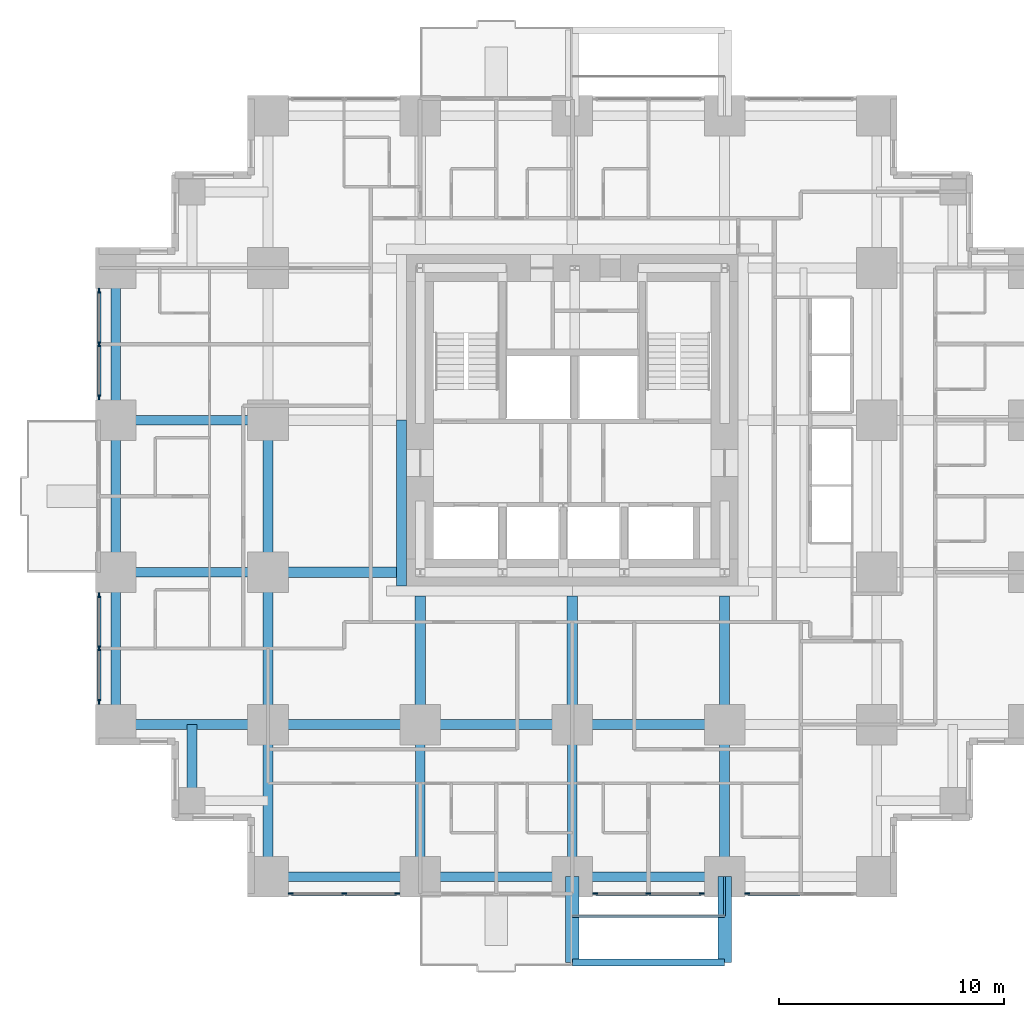
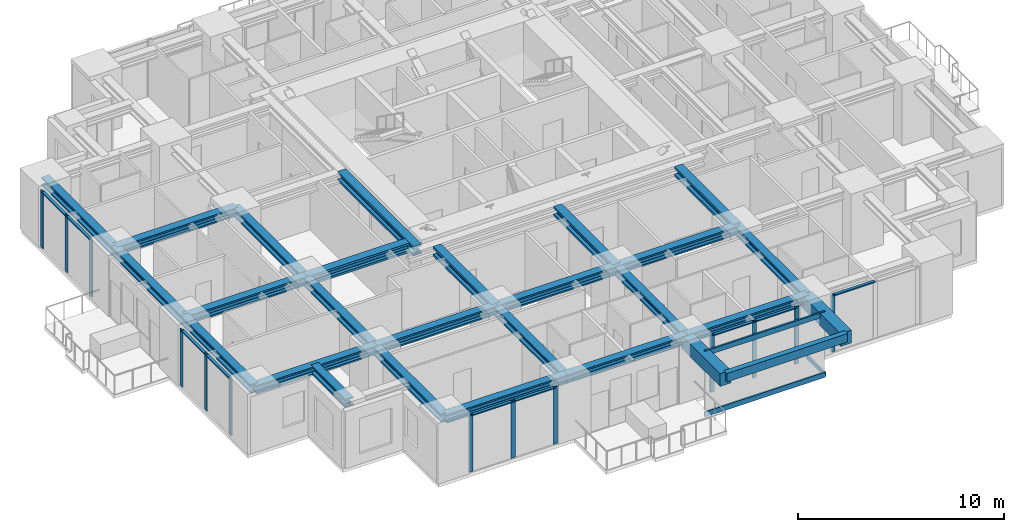
# One storey, part 2 of 13: 27 beams, 25 members, 5 elements without a shape of their own.
"""IFC4 building model written with IfcOpenShell, lengths in metres."""

from ifc_helpers import new_model, si_unit, direction, frame, origin, origin_2d, place, context, subcontext, project, spatial, rectangle, hollow_rectangle, i_section, extrude, material, material_profile, profile_set, type_object, element, aggregate, save


model = new_model("IFC4")

# Units and contexts
model_context = context("Model", 3, precision=1e-05, world=origin(), true_north=direction((0.0, 1.0)))
body_context = subcontext(model_context, "Body", "Model", "MODEL_VIEW")
ifc_project = project(units=[si_unit("LENGTHUNIT", "METRE"), si_unit("AREAUNIT", "SQUARE_METRE"), si_unit("VOLUMEUNIT", "CUBIC_METRE"), si_unit("PLANEANGLEUNIT", "RADIAN"), si_unit("MASSUNIT", "GRAM", prefix="KILO")], contexts=[model_context])

# Site, building, storey
site_placement = place(None, origin())
site = spatial("IfcSite", under=ifc_project, at=site_placement, CompositionType="ELEMENT")
building_placement = place(site_placement, origin())
building = spatial("IfcBuilding", under=site, at=building_placement, Name="Nyansa Garden Tower", CompositionType="ELEMENT")
storey_placement = place(building_placement, frame((0.0, 0.0, 101.699951171875)))
storey = spatial("IfcBuildingStorey", under=building, at=storey_placement, Name="L27", CompositionType="ELEMENT", Elevation=101.699951171875)

# Beams
ifc_material_1 = material(Name="Concrete C70/85", Category="concrete")
ifc_material_profile_1 = material_profile(ifc_material_1, rectangle(XDim=0.60009765625, YDim=0.75, at=origin_2d()), Name="RC 600x750")
ifc_profile_set_1 = profile_set([ifc_material_profile_1], Name="Concrete C70/85")
beam_type_1 = type_object("IfcBeamType", Name="Balcony cantilever beam CB1 RC 600x750", PredefinedType="BEAM", material=ifc_profile_set_1)
for number, where, z_axis, x_axis, name in (
    (1, (20.25, 0.0, 2.985107421875), (0.0, -1.0, 0.0), (1.0, 0.0, 0.0), "Balcony cantilever beam L28"),
    (2, (27.0, 0.0, 2.985107421875), (0.0, -1.0, 0.0), (1.0, 0.0, 0.0), "Balcony cantilever beam L28"),
):
    element("IfcBeam", number, at=place(storey_placement, frame(where, z_axis=z_axis, x_axis=x_axis)), inside=storey, type_object=beam_type_1, Name=name, PredefinedType="BEAM", context=body_context, shape_type="SweptSolid", body=[
        extrude(rectangle(XDim=0.60009765625, YDim=0.75, at=origin_2d()), origin(), (0.0, 0.0, 1.0), 3.800048828125),
    ])
ifc_material_2 = material(Name="Concrete C70/85", Category="concrete")
ifc_material_profile_2 = material_profile(ifc_material_2, rectangle(XDim=0.300048828125, YDim=0.5, at=origin_2d()), Name="RC 300x500")
ifc_profile_set_2 = profile_set([ifc_material_profile_2], Name="Concrete C70/85")
beam_type_2 = type_object("IfcBeamType", Name="Balcony edge beam BE1 RC 300x500", PredefinedType="BEAM", material=ifc_profile_set_2)
beam_1_placement = place(storey_placement, frame((20.25, -3.800048828125, 3.110107421875), z_axis=(1.0, 0.0, 0.0), x_axis=(0.0, 1.0, 0.0)))
element("IfcBeam", 3, at=beam_1_placement, inside=storey, type_object=beam_type_2, Name="Balcony edge beam L28", PredefinedType="BEAM", context=body_context, shape_type="SweptSolid", body=[
    extrude(rectangle(XDim=0.300048828125, YDim=0.5, at=origin_2d()), origin(), (0.0, 0.0, 1.0), 6.75),
])

# Curtain wall, members
ifc_material_3 = material(Name="Black anodised aluminium, dark tinted double glazing", Category="aluminium")
curtain_wall_type = type_object("IfcCurtainWallType", Name="Inner skin curtain wall ISW-B", PredefinedType="USERDEFINED", material=ifc_material_3)
curtain_wall_1_placement = place(storey_placement, origin())
curtain_wall_1 = element("IfcCurtainWall", 4, at=curtain_wall_1_placement, inside=storey, type_object=curtain_wall_type, Name="Inner skin curtain wall L27 W", ObjectType="UNITISED CURTAIN WALL", PredefinedType="USERDEFINED")
ifc_material_4 = material(Name="Black anodised aluminium", Category="aluminium")
ifc_material_profile_3 = material_profile(ifc_material_4, rectangle(XDim=0.06494140625, YDim=0.22509765625, at=origin_2d()), Name="Mullion 225x65")
ifc_profile_set_3 = profile_set([ifc_material_profile_3], Name="Black anodised aluminium")
member_type_1 = type_object("IfcMemberType", Name="Mullion ISW-B 225x65", PredefinedType="MULLION", material=ifc_profile_set_3)
member_1_placement = place(storey_placement, frame((-0.75, 12.487548828125, 0.0), z_axis=(0.0, 0.0, 1.0), x_axis=(1.0, 0.0, 0.0)))
member_1 = element("IfcMember", 5, at=member_1_placement, type_object=member_type_1, Name="ISW-B mullion 1", PredefinedType="MULLION", context=body_context, shape_type="SweptSolid", body=[
    extrude(rectangle(XDim=0.06494140625, YDim=0.22509765625, at=origin_2d()), origin(), (0.0, 0.0, 1.0), 3.375),
])
member_2_placement = place(storey_placement, frame((-0.75, 10.125, 0.0), z_axis=(0.0, 0.0, 1.0), x_axis=(1.0, 0.0, 0.0)))
member_2 = element("IfcMember", 6, at=member_2_placement, type_object=member_type_1, Name="ISW-B mullion 2", PredefinedType="MULLION", context=body_context, shape_type="SweptSolid", body=[
    extrude(rectangle(XDim=0.06494140625, YDim=0.22509765625, at=origin_2d()), origin(), (0.0, 0.0, 1.0), 3.375),
])
member_3_placement = place(storey_placement, frame((-0.75, 7.762451171875, 0.0), z_axis=(0.0, 0.0, 1.0), x_axis=(1.0, 0.0, 0.0)))
member_3 = element("IfcMember", 7, at=member_3_placement, type_object=member_type_1, Name="ISW-B mullion 3", PredefinedType="MULLION", context=body_context, shape_type="SweptSolid", body=[
    extrude(rectangle(XDim=0.06494140625, YDim=0.22509765625, at=origin_2d()), origin(), (0.0, 0.0, 1.0), 3.375),
])

curtain_wall_2_placement = place(storey_placement, origin())
curtain_wall_2 = element("IfcCurtainWall", 8, at=curtain_wall_2_placement, inside=storey, type_object=curtain_wall_type, Name="Inner skin curtain wall L27 W", ObjectType="UNITISED CURTAIN WALL", PredefinedType="USERDEFINED")
member_4_placement = place(storey_placement, frame((-0.75, 25.987548828125, 0.0), z_axis=(0.0, 0.0, 1.0), x_axis=(1.0, 0.0, 0.0)))
member_4 = element("IfcMember", 9, at=member_4_placement, type_object=member_type_1, Name="ISW-B mullion 1", PredefinedType="MULLION", context=body_context, shape_type="SweptSolid", body=[
    extrude(rectangle(XDim=0.06494140625, YDim=0.22509765625, at=origin_2d()), origin(), (0.0, 0.0, 1.0), 3.375),
])
member_5_placement = place(storey_placement, frame((-0.75, 23.625, 0.0), z_axis=(0.0, 0.0, 1.0), x_axis=(1.0, 0.0, 0.0)))
member_5 = element("IfcMember", 10, at=member_5_placement, type_object=member_type_1, Name="ISW-B mullion 2", PredefinedType="MULLION", context=body_context, shape_type="SweptSolid", body=[
    extrude(rectangle(XDim=0.06494140625, YDim=0.22509765625, at=origin_2d()), origin(), (0.0, 0.0, 1.0), 3.375),
])
member_6_placement = place(storey_placement, frame((-0.75, 21.262451171875, 0.0), z_axis=(0.0, 0.0, 1.0), x_axis=(1.0, 0.0, 0.0)))
member_6 = element("IfcMember", 11, at=member_6_placement, type_object=member_type_1, Name="ISW-B mullion 3", PredefinedType="MULLION", context=body_context, shape_type="SweptSolid", body=[
    extrude(rectangle(XDim=0.06494140625, YDim=0.22509765625, at=origin_2d()), origin(), (0.0, 0.0, 1.0), 3.375),
])

curtain_wall_3_placement = place(storey_placement, origin())
curtain_wall_3 = element("IfcCurtainWall", 12, at=curtain_wall_3_placement, inside=storey, type_object=curtain_wall_type, Name="Inner skin curtain wall L27 S", ObjectType="UNITISED CURTAIN WALL", PredefinedType="USERDEFINED")
member_7_placement = place(storey_placement, frame((7.762451171875, -0.75, 0.0), z_axis=(0.0, 0.0, 1.0), x_axis=(0.0, 1.0, 0.0)))
member_7 = element("IfcMember", 13, at=member_7_placement, type_object=member_type_1, Name="ISW-B mullion 1", PredefinedType="MULLION", context=body_context, shape_type="SweptSolid", body=[
    extrude(rectangle(XDim=0.06494140625, YDim=0.22509765625, at=origin_2d()), origin(), (0.0, 0.0, 1.0), 3.375),
])
member_8_placement = place(storey_placement, frame((10.125, -0.75, 0.0), z_axis=(0.0, 0.0, 1.0), x_axis=(0.0, 1.0, 0.0)))
member_8 = element("IfcMember", 14, at=member_8_placement, type_object=member_type_1, Name="ISW-B mullion 2", PredefinedType="MULLION", context=body_context, shape_type="SweptSolid", body=[
    extrude(rectangle(XDim=0.06494140625, YDim=0.22509765625, at=origin_2d()), origin(), (0.0, 0.0, 1.0), 3.375),
])
member_9_placement = place(storey_placement, frame((12.487548828125, -0.75, 0.0), z_axis=(0.0, 0.0, 1.0), x_axis=(0.0, 1.0, 0.0)))
member_9 = element("IfcMember", 15, at=member_9_placement, type_object=member_type_1, Name="ISW-B mullion 3", PredefinedType="MULLION", context=body_context, shape_type="SweptSolid", body=[
    extrude(rectangle(XDim=0.06494140625, YDim=0.22509765625, at=origin_2d()), origin(), (0.0, 0.0, 1.0), 3.375),
])

curtain_wall_4_placement = place(storey_placement, origin())
curtain_wall_4 = element("IfcCurtainWall", 16, at=curtain_wall_4_placement, inside=storey, type_object=curtain_wall_type, Name="Inner skin curtain wall L27 S", ObjectType="UNITISED CURTAIN WALL", PredefinedType="USERDEFINED")
member_10_placement = place(storey_placement, frame((21.262451171875, -0.75, 0.0), z_axis=(0.0, 0.0, 1.0), x_axis=(0.0, 1.0, 0.0)))
member_10 = element("IfcMember", 17, at=member_10_placement, type_object=member_type_1, Name="ISW-B mullion 1", PredefinedType="MULLION", context=body_context, shape_type="SweptSolid", body=[
    extrude(rectangle(XDim=0.06494140625, YDim=0.22509765625, at=origin_2d()), origin(), (0.0, 0.0, 1.0), 3.375),
])
member_11_placement = place(storey_placement, frame((23.625, -0.75, 0.0), z_axis=(0.0, 0.0, 1.0), x_axis=(0.0, 1.0, 0.0)))
member_11 = element("IfcMember", 18, at=member_11_placement, type_object=member_type_1, Name="ISW-B mullion 2", PredefinedType="MULLION", context=body_context, shape_type="SweptSolid", body=[
    extrude(rectangle(XDim=0.06494140625, YDim=0.22509765625, at=origin_2d()), origin(), (0.0, 0.0, 1.0), 3.375),
])
member_12_placement = place(storey_placement, frame((25.987548828125, -0.75, 0.0), z_axis=(0.0, 0.0, 1.0), x_axis=(0.0, 1.0, 0.0)))
member_12 = element("IfcMember", 19, at=member_12_placement, type_object=member_type_1, Name="ISW-B mullion 3", PredefinedType="MULLION", context=body_context, shape_type="SweptSolid", body=[
    extrude(rectangle(XDim=0.06494140625, YDim=0.22509765625, at=origin_2d()), origin(), (0.0, 0.0, 1.0), 3.375),
])

# Curtain wall, member
curtain_wall_5_placement = place(storey_placement, origin())
curtain_wall_5 = element("IfcCurtainWall", 20, at=curtain_wall_5_placement, inside=storey, type_object=curtain_wall_type, Name="Inner skin curtain wall L27 S", ObjectType="UNITISED CURTAIN WALL", PredefinedType="USERDEFINED")
member_13_placement = place(storey_placement, frame((28.012451171875, -0.75, 0.0), z_axis=(0.0, 0.0, 1.0), x_axis=(0.0, 1.0, 0.0)))
member_13 = element("IfcMember", 21, at=member_13_placement, type_object=member_type_1, Name="ISW-B mullion 1", PredefinedType="MULLION", context=body_context, shape_type="SweptSolid", body=[
    extrude(rectangle(XDim=0.06494140625, YDim=0.22509765625, at=origin_2d()), origin(), (0.0, 0.0, 1.0), 3.375),
])

# Members
ifc_material_5 = material(Name="Steel S355, black powder coated", Category="steel")
ifc_material_profile_4 = material_profile(ifc_material_5, hollow_rectangle(XDim=0.10009765625, YDim=0.199951171875, WallThickness=0.008056640625, at=origin_2d()), Name="RHS 200x100x8")
ifc_profile_set_4 = profile_set([ifc_material_profile_4], Name="Steel S355, black powder coated")
member_type_2 = type_object("IfcMemberType", Name="Outer skin bracket arm RHS 200x100x8", PredefinedType="USERDEFINED", material=ifc_profile_set_4)
member_14_placement = place(storey_placement, frame((27.0, 0.0, -0.375), z_axis=(0.0, -1.0, 0.0), x_axis=(1.0, 0.0, 0.0)))
element("IfcMember", 22, at=member_14_placement, inside=storey, type_object=member_type_2, Name="Outer skin bracket arm", ObjectType="OUTER SKIN BRACKET", PredefinedType="USERDEFINED", context=body_context, shape_type="SweptSolid", body=[
    extrude(hollow_rectangle(XDim=0.10009765625, YDim=0.199951171875, WallThickness=0.008056640625, at=origin_2d()), origin(), (0.0, 0.0, 1.0), 1.75),
])
ifc_material_6 = material(Name="Steel S355, black powder coated", Category="steel")
ifc_material_profile_5 = material_profile(ifc_material_6, hollow_rectangle(XDim=0.10009765625, YDim=0.300048828125, WallThickness=0.010009765625, at=origin_2d()), Name="RHS 300x100x10")
ifc_profile_set_5 = profile_set([ifc_material_profile_5], Name="Steel S355, black powder coated")
member_type_3 = type_object("IfcMemberType", Name="Outer skin rail RHS 300x100x10", PredefinedType="USERDEFINED", material=ifc_profile_set_5)
for number, where, z_axis, x_axis, name in (
    (23, (20.25, -1.75, -0.375), (1.0, 0.0, 0.0), (0.0, 1.0, 0.0), "Outer skin rail L27"),
    (24, (20.25, -1.75, 3.22509765625), (1.0, 0.0, 0.0), (0.0, 1.0, 0.0), "Outer skin rail L27 head"),
):
    element("IfcMember", number, at=place(storey_placement, frame(where, z_axis=z_axis, x_axis=x_axis)), inside=storey, type_object=member_type_3, Name=name, ObjectType="OUTER SKIN RAIL", PredefinedType="USERDEFINED", context=body_context, shape_type="SweptSolid", body=[
        extrude(hollow_rectangle(XDim=0.10009765625, YDim=0.300048828125, WallThickness=0.010009765625, at=origin_2d()), origin(), (0.0, 0.0, 1.0), 6.75),
    ])

# Beams
ifc_material_7 = material(Name="Steel S355", Category="steel")
ifc_material_profile_6 = material_profile(ifc_material_7, i_section(OverallWidth=0.431884765625, OverallDepth=0.498046875, WebThickness=0.0556640625, FlangeThickness=0.0888671875, FilletRadius=0.014892578125, at=origin_2d()), Name="HD 400x744")
ifc_profile_set_6 = profile_set([ifc_material_profile_6], Name="Steel S355")
beam_type_3 = type_object("IfcBeamType", Name="Steel beam SBB1-744 HD 400x744", PredefinedType="BEAM", material=ifc_profile_set_6)
for number, where, z_axis, x_axis, name in (
    (25, (0.0, 6.75, 3.1259765625), (1.0, 0.0, 0.0), (0.0, 1.0, 0.0), "Steel beam 2/E-3/E L28"),
    (26, (0.0, 13.5, 3.1259765625), (1.0, 0.0, 0.0), (0.0, 1.0, 0.0), "Steel beam 2/F-3/F L28"),
    (27, (0.0, 20.25, 3.1259765625), (1.0, 0.0, 0.0), (0.0, 1.0, 0.0), "Steel beam 2/G-3/G L28"),
    (28, (6.75, 0.0, 3.1259765625), (0.0, 1.0, 0.0), (-1.0, 0.0, 0.0), "Steel beam 3/D-3/E L28"),
    (29, (6.75, 6.75, 3.1259765625), (0.0, 1.0, 0.0), (-1.0, 0.0, 0.0), "Steel beam 3/E-3/F L28"),
    (30, (6.75, 6.75, 3.1259765625), (1.0, 0.0, 0.0), (0.0, 1.0, 0.0), "Steel beam 3/E-4/E L28"),
    (31, (6.75, 13.5, 3.1259765625), (0.0, 1.0, 0.0), (-1.0, 0.0, 0.0), "Steel beam 3/F-3/G L28"),
    (32, (13.5, 0.0, 3.1259765625), (0.0, 1.0, 0.0), (-1.0, 0.0, 0.0), "Steel beam 4/D-4/E L28"),
    (33, (13.5, 6.75, 3.1259765625), (1.0, 0.0, 0.0), (0.0, 1.0, 0.0), "Steel beam 4/E-5/E L28"),
    (34, (20.25, 0.0, 3.1259765625), (0.0, 1.0, 0.0), (-1.0, 0.0, 0.0), "Steel beam 5/D-5/E L28"),
    (35, (20.25, 6.75, 3.1259765625), (1.0, 0.0, 0.0), (0.0, 1.0, 0.0), "Steel beam 5/E-6/E L28"),
    (36, (27.0, 0.0, 3.1259765625), (0.0, 1.0, 0.0), (-1.0, 0.0, 0.0), "Steel beam 6/D-6/E L28"),
):
    element("IfcBeam", number, at=place(storey_placement, frame(where, z_axis=z_axis, x_axis=x_axis)), inside=storey, type_object=beam_type_3, Name=name, PredefinedType="BEAM", context=body_context, shape_type="SweptSolid", body=[
        extrude(i_section(OverallWidth=0.431884765625, OverallDepth=0.498046875, WebThickness=0.0556640625, FlangeThickness=0.0888671875, FilletRadius=0.014892578125, at=origin_2d()), origin(), (0.0, 0.0, 1.0), 6.75),
    ])
ifc_material_8 = material(Name="Steel S355", Category="steel")
ifc_material_profile_7 = material_profile(ifc_material_8, i_section(OverallWidth=0.4541015625, OverallDepth=0.569091796875, WebThickness=0.077880859375, FlangeThickness=0.125, FilletRadius=0.014892578125, at=origin_2d()), Name="HD 400x1086")
ifc_profile_set_7 = profile_set([ifc_material_profile_7], Name="Steel S355")
beam_type_4 = type_object("IfcBeamType", Name="Steel beam SCL-1086 HD 400x1086", PredefinedType="BEAM", material=ifc_profile_set_7)
for number, where, z_axis, x_axis, name in (
    (37, (6.75, 13.5, 3.090576171875), (1.0, 0.0, 0.0), (0.0, 1.0, 0.0), "Steel beam 3/F-12.450/F L28"),
    (38, (13.5, 6.75, 3.090576171875), (0.0, 1.0, 0.0), (-1.0, 0.0, 0.0), "Steel beam 4/E-4/12.450 L28"),
    (39, (20.25, 6.75, 3.090576171875), (0.0, 1.0, 0.0), (-1.0, 0.0, 0.0), "Steel beam 5/E-5/12.450 L28"),
    (40, (27.0, 6.75, 3.090576171875), (0.0, 1.0, 0.0), (-1.0, 0.0, 0.0), "Steel beam 6/E-6/12.450 L28"),
):
    element("IfcBeam", number, at=place(storey_placement, frame(where, z_axis=z_axis, x_axis=x_axis)), inside=storey, type_object=beam_type_4, Name=name, PredefinedType="BEAM", context=body_context, shape_type="SweptSolid", body=[
        extrude(i_section(OverallWidth=0.4541015625, OverallDepth=0.569091796875, WebThickness=0.077880859375, FlangeThickness=0.125, FilletRadius=0.014892578125, at=origin_2d()), origin(), (0.0, 0.0, 1.0), 5.699951171875),
    ])
beam_2_placement = place(storey_placement, frame((12.673095703125, 20.25, 3.090576171875), z_axis=(0.0, -1.0, 0.0), x_axis=(1.0, 0.0, 0.0)))
element("IfcBeam", 41, at=beam_2_placement, inside=storey, type_object=beam_type_4, Name="Steel core ledger beam W.2 L28", PredefinedType="BEAM", context=body_context, shape_type="SweptSolid", body=[
    extrude(i_section(OverallWidth=0.4541015625, OverallDepth=0.569091796875, WebThickness=0.077880859375, FlangeThickness=0.125, FilletRadius=0.014892578125, at=origin_2d()), origin(), (0.0, 0.0, 1.0), 7.35009765625),
])
ifc_material_9 = material(Name="Steel S355", Category="steel")
ifc_material_profile_8 = material_profile(ifc_material_9, i_section(OverallWidth=0.431884765625, OverallDepth=0.498046875, WebThickness=0.0556640625, FlangeThickness=0.0888671875, FilletRadius=0.014892578125, at=origin_2d()), Name="HD 400x744")
ifc_profile_set_8 = profile_set([ifc_material_profile_8], Name="Steel S355")
beam_type_5 = type_object("IfcBeamType", Name="Steel beam SEBB-744 HD 400x744", PredefinedType="BEAM", material=ifc_profile_set_8)
for number, where, z_axis, x_axis, name in (
    (42, (0.0, 6.75, 3.1259765625), (0.0, 1.0, 0.0), (-1.0, 0.0, 0.0), "Steel edge beam 2/E-2/F L28"),
    (43, (0.0, 13.5, 3.1259765625), (0.0, 1.0, 0.0), (-1.0, 0.0, 0.0), "Steel edge beam 2/F-2/G L28"),
    (44, (0.0, 20.25, 3.1259765625), (0.0, 1.0, 0.0), (-1.0, 0.0, 0.0), "Steel edge beam 2/G-2/H L28"),
    (45, (6.75, 0.0, 3.1259765625), (1.0, 0.0, 0.0), (0.0, 1.0, 0.0), "Steel edge beam 3/D-4/D L28"),
    (46, (13.5, 0.0, 3.1259765625), (1.0, 0.0, 0.0), (0.0, 1.0, 0.0), "Steel edge beam 4/D-5/D L28"),
    (47, (20.25, 0.0, 3.1259765625), (1.0, 0.0, 0.0), (0.0, 1.0, 0.0), "Steel edge beam 5/D-6/D L28"),
):
    element("IfcBeam", number, at=place(storey_placement, frame(where, z_axis=z_axis, x_axis=x_axis)), inside=storey, type_object=beam_type_5, Name=name, PredefinedType="BEAM", context=body_context, shape_type="SweptSolid", body=[
        extrude(i_section(OverallWidth=0.431884765625, OverallDepth=0.498046875, WebThickness=0.0556640625, FlangeThickness=0.0888671875, FilletRadius=0.014892578125, at=origin_2d()), origin(), (0.0, 0.0, 1.0), 6.75),
    ])
ifc_material_10 = material(Name="Steel S355", Category="steel")
ifc_material_profile_9 = material_profile(ifc_material_10, i_section(OverallWidth=0.431884765625, OverallDepth=0.498046875, WebThickness=0.0556640625, FlangeThickness=0.0888671875, FilletRadius=0.014892578125, at=origin_2d()), Name="HD 400x744")
ifc_profile_set_9 = profile_set([ifc_material_profile_9], Name="Steel S355")
beam_type_6 = type_object("IfcBeamType", Name="Steel beam SSB1-744 HD 400x744", PredefinedType="BEAM", material=ifc_profile_set_9)
beam_3_placement = place(storey_placement, frame((3.375, 3.375, 3.1259765625), z_axis=(0.0, 1.0, 0.0), x_axis=(-1.0, 0.0, 0.0)))
element("IfcBeam", 48, at=beam_3_placement, inside=storey, type_object=beam_type_6, Name="Steel step beam 3.375/3.375 L28", PredefinedType="BEAM", context=body_context, shape_type="SweptSolid", body=[
    extrude(i_section(OverallWidth=0.431884765625, OverallDepth=0.498046875, WebThickness=0.0556640625, FlangeThickness=0.0888671875, FilletRadius=0.014892578125, at=origin_2d()), origin(), (0.0, 0.0, 1.0), 3.375),
])

# Member
ifc_material_11 = material(Name="Black anodised aluminium", Category="aluminium")
ifc_material_profile_10 = material_profile(ifc_material_11, rectangle(XDim=0.1650390625, YDim=0.06494140625, at=origin_2d()), Name="Transom 165x65")
ifc_profile_set_10 = profile_set([ifc_material_profile_10], Name="Black anodised aluminium")
member_type_4 = type_object("IfcMemberType", Name="Transom ISW-B 165x65", PredefinedType="USERDEFINED", material=ifc_profile_set_10)
member_15_placement = place(storey_placement, frame((-0.75, 12.455078125, 3.342529296875), z_axis=(0.0, -1.0, 0.0), x_axis=(1.0, 0.0, 0.0)))
member_15 = element("IfcMember", 49, at=member_15_placement, type_object=member_type_4, Name="ISW-B transom 1", ObjectType="TRANSOM", PredefinedType="USERDEFINED", context=body_context, shape_type="SweptSolid", body=[
    extrude(rectangle(XDim=0.1650390625, YDim=0.06494140625, at=origin_2d()), origin(), (0.0, 0.0, 1.0), 2.297607421875),
])

member_16_placement = place(storey_placement, frame((-0.75, 10.092529296875, 3.342529296875), z_axis=(0.0, -1.0, 0.0), x_axis=(1.0, 0.0, 0.0)))
member_16 = element("IfcMember", 50, at=member_16_placement, type_object=member_type_4, Name="ISW-B transom 2", ObjectType="TRANSOM", PredefinedType="USERDEFINED", context=body_context, shape_type="SweptSolid", body=[
    extrude(rectangle(XDim=0.1650390625, YDim=0.06494140625, at=origin_2d()), origin(), (0.0, 0.0, 1.0), 2.297607421875),
])

aggregate(curtain_wall_1, [member_1, member_2, member_3, member_15, member_16])

member_17_placement = place(storey_placement, frame((-0.75, 25.955078125, 3.342529296875), z_axis=(0.0, -1.0, 0.0), x_axis=(1.0, 0.0, 0.0)))
member_17 = element("IfcMember", 51, at=member_17_placement, type_object=member_type_4, Name="ISW-B transom 1", ObjectType="TRANSOM", PredefinedType="USERDEFINED", context=body_context, shape_type="SweptSolid", body=[
    extrude(rectangle(XDim=0.1650390625, YDim=0.06494140625, at=origin_2d()), origin(), (0.0, 0.0, 1.0), 2.297607421875),
])

member_18_placement = place(storey_placement, frame((-0.75, 23.592529296875, 3.342529296875), z_axis=(0.0, -1.0, 0.0), x_axis=(1.0, 0.0, 0.0)))
member_18 = element("IfcMember", 52, at=member_18_placement, type_object=member_type_4, Name="ISW-B transom 2", ObjectType="TRANSOM", PredefinedType="USERDEFINED", context=body_context, shape_type="SweptSolid", body=[
    extrude(rectangle(XDim=0.1650390625, YDim=0.06494140625, at=origin_2d()), origin(), (0.0, 0.0, 1.0), 2.297607421875),
])

aggregate(curtain_wall_2, [member_4, member_5, member_6, member_17, member_18])

member_19_placement = place(storey_placement, frame((7.794921875, -0.75, 3.342529296875), z_axis=(1.0, 0.0, 0.0), x_axis=(0.0, 1.0, 0.0)))
member_19 = element("IfcMember", 53, at=member_19_placement, type_object=member_type_4, Name="ISW-B transom 1", ObjectType="TRANSOM", PredefinedType="USERDEFINED", context=body_context, shape_type="SweptSolid", body=[
    extrude(rectangle(XDim=0.1650390625, YDim=0.06494140625, at=origin_2d()), origin(), (0.0, 0.0, 1.0), 2.297607421875),
])

member_20_placement = place(storey_placement, frame((10.157470703125, -0.75, 3.342529296875), z_axis=(1.0, 0.0, 0.0), x_axis=(0.0, 1.0, 0.0)))
member_20 = element("IfcMember", 54, at=member_20_placement, type_object=member_type_4, Name="ISW-B transom 2", ObjectType="TRANSOM", PredefinedType="USERDEFINED", context=body_context, shape_type="SweptSolid", body=[
    extrude(rectangle(XDim=0.1650390625, YDim=0.06494140625, at=origin_2d()), origin(), (0.0, 0.0, 1.0), 2.297607421875),
])

aggregate(curtain_wall_3, [member_7, member_8, member_9, member_19, member_20])

member_21_placement = place(storey_placement, frame((21.294921875, -0.75, 3.342529296875), z_axis=(1.0, 0.0, 0.0), x_axis=(0.0, 1.0, 0.0)))
member_21 = element("IfcMember", 55, at=member_21_placement, type_object=member_type_4, Name="ISW-B transom 1", ObjectType="TRANSOM", PredefinedType="USERDEFINED", context=body_context, shape_type="SweptSolid", body=[
    extrude(rectangle(XDim=0.1650390625, YDim=0.06494140625, at=origin_2d()), origin(), (0.0, 0.0, 1.0), 2.297607421875),
])

member_22_placement = place(storey_placement, frame((23.657470703125, -0.75, 3.342529296875), z_axis=(1.0, 0.0, 0.0), x_axis=(0.0, 1.0, 0.0)))
member_22 = element("IfcMember", 56, at=member_22_placement, type_object=member_type_4, Name="ISW-B transom 2", ObjectType="TRANSOM", PredefinedType="USERDEFINED", context=body_context, shape_type="SweptSolid", body=[
    extrude(rectangle(XDim=0.1650390625, YDim=0.06494140625, at=origin_2d()), origin(), (0.0, 0.0, 1.0), 2.297607421875),
])

aggregate(curtain_wall_4, [member_10, member_11, member_12, member_21, member_22])

member_23_placement = place(storey_placement, frame((28.044921875, -0.75, 3.342529296875), z_axis=(1.0, 0.0, 0.0), x_axis=(0.0, 1.0, 0.0)))
member_23 = element("IfcMember", 57, at=member_23_placement, type_object=member_type_4, Name="ISW-B transom 1", ObjectType="TRANSOM", PredefinedType="USERDEFINED", context=body_context, shape_type="SweptSolid", body=[
    extrude(rectangle(XDim=0.1650390625, YDim=0.06494140625, at=origin_2d()), origin(), (0.0, 0.0, 1.0), 2.297607421875),
])

aggregate(curtain_wall_5, [member_13, member_23])

save(model, "model.ifc")
